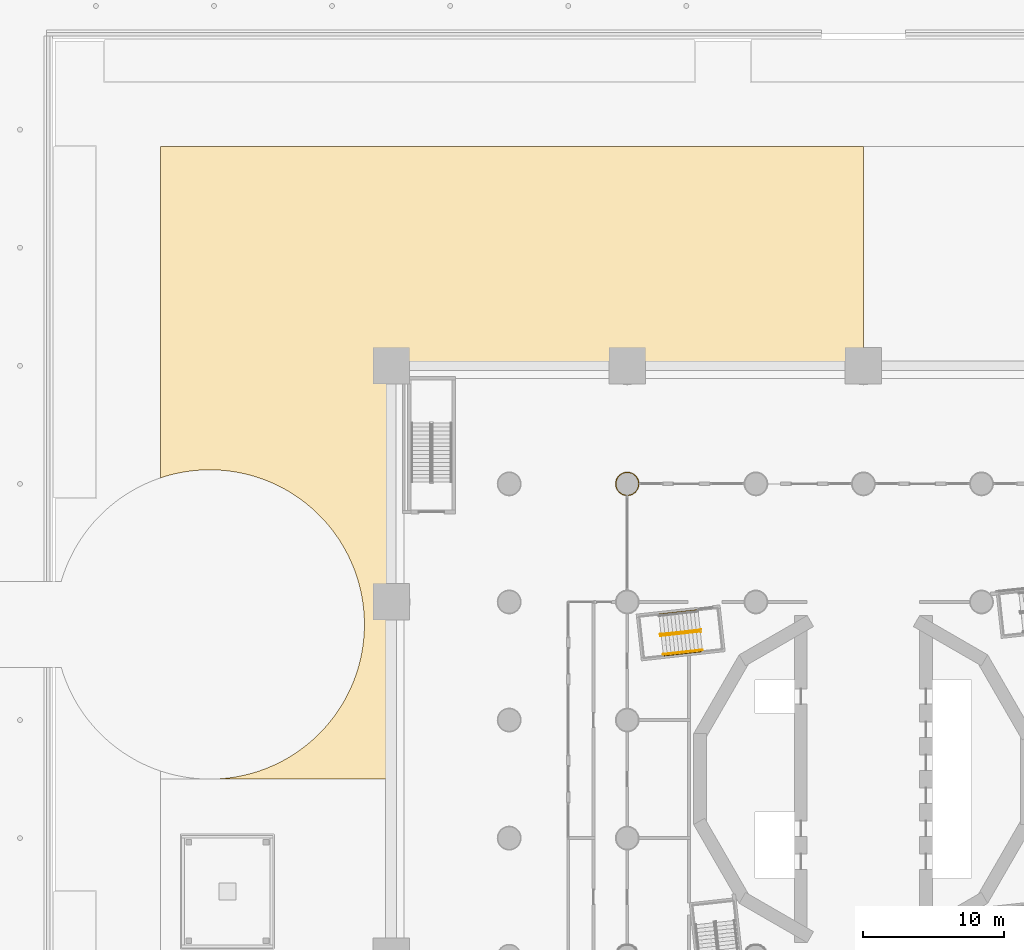
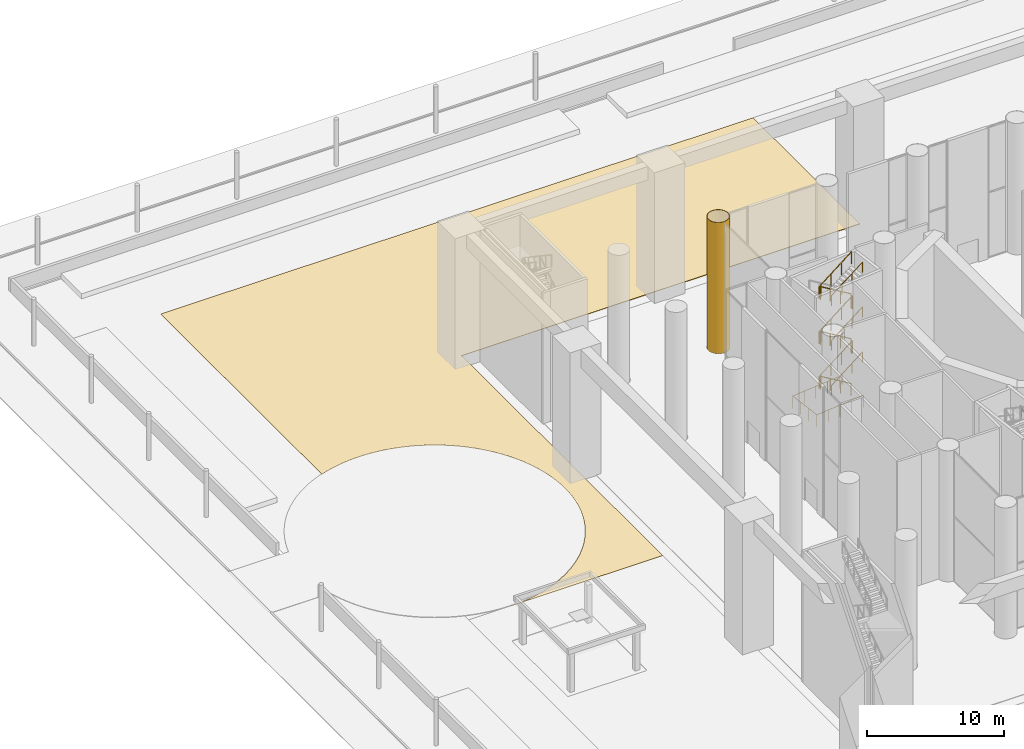
# One storey, part 41 of 52: 10 railings, 2 coverings.
"""IFC4 building model written with IfcOpenShell, lengths in metres."""

from ifc_helpers import new_model, si_unit, direction, frame, origin, origin_2d, place, context, subcontext, project, spatial, polyline, circle, outline, extrude, material, layer, layer_set, type_object, element, save


model = new_model("IFC4")

# Units and contexts
model_context = context("Model", 3, precision=1e-05, world=origin(), true_north=direction((0.0, 1.0)))
body_context = subcontext(model_context, "Body", "Model", "MODEL_VIEW")
ifc_project = project(units=[si_unit("LENGTHUNIT", "METRE"), si_unit("AREAUNIT", "SQUARE_METRE"), si_unit("VOLUMEUNIT", "CUBIC_METRE"), si_unit("PLANEANGLEUNIT", "RADIAN"), si_unit("MASSUNIT", "GRAM", prefix="KILO")], contexts=[model_context])

# Site, building, storey
site_placement = place(None, origin())
site = spatial("IfcSite", under=ifc_project, at=site_placement, CompositionType="ELEMENT")
building_placement = place(site_placement, origin())
building = spatial("IfcBuilding", under=site, at=building_placement, Name="Cantera Rosa Tower", CompositionType="ELEMENT")
storey_placement = place(building_placement, origin())
storey = spatial("IfcBuildingStorey", under=building, at=storey_placement, Name="L00", CompositionType="ELEMENT", Elevation=0.0)

# Coverings
ifc_material_1 = material(Name="Plaster")
ifc_layer_1 = layer(ifc_material_1, 0.030029296875)
ifc_layer_set_1 = layer_set([ifc_layer_1], Name="Column casing 30")
covering_type_1 = type_object("IfcCoveringType", Name="Column casing 30", PredefinedType="CLADDING", material=ifc_layer_set_1)
covering_1_placement = place(storey_placement, origin())
element("IfcCovering", 1, at=covering_1_placement, inside=storey, type_object=covering_type_1, Name="Column casing L00-006", PredefinedType="CLADDING", context=body_context, shape_type="SweptSolid", body=[
    extrude(outline(polyline([(-15.97412109375, 20.918701171875), (-15.969970703125, 21.0), (-15.97412109375, 21.081298828125), (-15.98583984375, 21.161865234375), (-16.005615234375, 21.240966796875), (-16.033203125, 21.317626953125), (-16.068115234375, 21.391357421875), (-16.10986328125, 21.461181640625), (-16.158447265625, 21.526611328125), (-16.213134765625, 21.5869140625), (-16.2734375, 21.6416015625), (-16.3388671875, 21.690185546875), (-16.40869140625, 21.73193359375), (-16.482421875, 21.766845703125), (-16.55908203125, 21.794189453125), (-16.63818359375, 21.814208984375), (-16.718505859375, 21.825927734375), (-16.800048828125, 21.830078125), (-16.88134765625, 21.825927734375), (-16.9619140625, 21.814208984375), (-17.041015625, 21.794189453125), (-17.11767578125, 21.766845703125), (-17.19140625, 21.73193359375), (-17.260986328125, 21.690185546875), (-17.326416015625, 21.6416015625), (-17.386962890625, 21.5869140625), (-17.441650390625, 21.526611328125), (-17.489990234375, 21.461181640625), (-17.531982421875, 21.391357421875), (-17.56689453125, 21.317626953125), (-17.59423828125, 21.240966796875), (-17.614013671875, 21.161865234375), (-17.6259765625, 21.081298828125), (-17.6298828125, 21.0), (-17.6259765625, 20.918701171875), (-17.614013671875, 20.838134765625), (-17.59423828125, 20.759033203125), (-17.56689453125, 20.682373046875), (-17.531982421875, 20.608642578125), (-17.489990234375, 20.538818359375), (-17.441650390625, 20.473388671875), (-17.386962890625, 20.4130859375), (-17.326416015625, 20.3583984375), (-17.260986328125, 20.309814453125), (-17.19140625, 20.26806640625), (-17.11767578125, 20.233154296875), (-17.041015625, 20.205810546875), (-16.9619140625, 20.185791015625), (-16.88134765625, 20.174072265625), (-16.800048828125, 20.169921875), (-16.718505859375, 20.174072265625), (-16.63818359375, 20.185791015625), (-16.55908203125, 20.205810546875), (-16.482421875, 20.233154296875), (-16.40869140625, 20.26806640625), (-16.3388671875, 20.309814453125), (-16.2734375, 20.3583984375), (-16.213134765625, 20.4130859375), (-16.158447265625, 20.473388671875), (-16.10986328125, 20.538818359375), (-16.068115234375, 20.608642578125), (-16.033203125, 20.682373046875), (-16.005615234375, 20.759033203125), (-15.98583984375, 20.838134765625), (-15.97412109375, 20.918701171875)]), holes=[polyline([(-16.00390625, 21.078369140625), (-16.015380859375, 21.156005859375), (-16.034423828125, 21.232177734375), (-16.060791015625, 21.30615234375), (-16.094482421875, 21.377197265625), (-16.134765625, 21.444580078125), (-16.181640625, 21.507568359375), (-16.234375, 21.565673828125), (-16.29248046875, 21.618408203125), (-16.35546875, 21.665283203125), (-16.4228515625, 21.70556640625), (-16.493896484375, 21.739013671875), (-16.56787109375, 21.765625), (-16.643798828125, 21.78466796875), (-16.7216796875, 21.796142578125), (-16.800048828125, 21.800048828125), (-16.87841796875, 21.796142578125), (-16.9560546875, 21.78466796875), (-17.0322265625, 21.765625), (-17.106201171875, 21.739013671875), (-17.177001953125, 21.70556640625), (-17.244384765625, 21.665283203125), (-17.3076171875, 21.618408203125), (-17.36572265625, 21.565673828125), (-17.41845703125, 21.507568359375), (-17.465087890625, 21.444580078125), (-17.505615234375, 21.377197265625), (-17.5390625, 21.30615234375), (-17.565673828125, 21.232177734375), (-17.584716796875, 21.156005859375), (-17.59619140625, 21.078369140625), (-17.60009765625, 21.0), (-17.59619140625, 20.921630859375), (-17.584716796875, 20.843994140625), (-17.565673828125, 20.767822265625), (-17.5390625, 20.69384765625), (-17.505615234375, 20.622802734375), (-17.465087890625, 20.555419921875), (-17.41845703125, 20.492431640625), (-17.36572265625, 20.434326171875), (-17.3076171875, 20.381591796875), (-17.244384765625, 20.334716796875), (-17.177001953125, 20.29443359375), (-17.106201171875, 20.260986328125), (-17.0322265625, 20.234375), (-16.9560546875, 20.21533203125), (-16.87841796875, 20.203857421875), (-16.800048828125, 20.199951171875), (-16.7216796875, 20.203857421875), (-16.643798828125, 20.21533203125), (-16.56787109375, 20.234375), (-16.493896484375, 20.260986328125), (-16.4228515625, 20.29443359375), (-16.35546875, 20.334716796875), (-16.29248046875, 20.381591796875), (-16.234375, 20.434326171875), (-16.181640625, 20.492431640625), (-16.134765625, 20.555419921875), (-16.094482421875, 20.622802734375), (-16.060791015625, 20.69384765625), (-16.034423828125, 20.767822265625), (-16.015380859375, 20.843994140625), (-16.00390625, 20.921630859375), (-16.0, 21.0), (-16.00390625, 21.078369140625)])]), origin(), (0.0, 0.0, 1.0), 11.699951171875),
])
ifc_material_2 = material(Name="Stone paving", Category="masonry")
ifc_layer_2 = layer(ifc_material_2, 0.0400390625)
ifc_layer_set_2 = layer_set([ifc_layer_2], Name="Plaza paving 40")
covering_type_2 = type_object("IfcCoveringType", Name="Plaza paving 40", PredefinedType="USERDEFINED", material=ifc_layer_set_2)
covering_2_placement = place(storey_placement, origin())
element("IfcCovering", 2, at=covering_2_placement, inside=storey, type_object=covering_type_2, Name="Plaza paving NW", ObjectType="PAVING", PredefinedType="USERDEFINED", context=body_context, shape_type="SweptSolid", body=[
    extrude(outline(polyline([(-46.14013671875, 0.005859375), (-46.5, 0.0), (-33.60009765625, 0.0), (-33.60009765625, 29.39990234375), (0.0, 29.39990234375), (0.0, 45.0), (-50.0, 45.0), (-50.0, 21.427734375), (-49.693115234375, 21.5263671875), (-49.346923828125, 21.625244140625), (-48.997802734375, 21.712646484375), (-48.64599609375, 21.78857421875), (-48.2919921875, 21.85302734375), (-47.935791015625, 21.906005859375), (-47.578125, 21.947021484375), (-47.219482421875, 21.976318359375), (-46.85986328125, 21.994140625), (-46.5, 22.0), (-46.14013671875, 21.994140625), (-45.780517578125, 21.976318359375), (-45.421875, 21.947021484375), (-45.064208984375, 21.906005859375), (-44.7080078125, 21.85302734375), (-44.35400390625, 21.78857421875), (-44.002197265625, 21.712646484375), (-43.653076171875, 21.625244140625), (-43.306884765625, 21.5263671875), (-42.964111328125, 21.416259765625), (-42.625244140625, 21.294921875), (-42.29052734375, 21.16259765625), (-41.960205078125, 21.01953125), (-41.634765625, 20.865478515625), (-41.314697265625, 20.701171875), (-41.0, 20.5263671875), (-40.69140625, 20.34130859375), (-40.388671875, 20.146240234375), (-40.0927734375, 19.94140625), (-39.8037109375, 19.726806640625), (-39.521728515625, 19.503173828125), (-39.247314453125, 19.270263671875), (-38.98046875, 19.028564453125), (-38.7216796875, 18.7783203125), (-38.471435546875, 18.51953125), (-38.229736328125, 18.252685546875), (-37.996826171875, 17.978271484375), (-37.773193359375, 17.6962890625), (-37.55859375, 17.4072265625), (-37.353759765625, 17.111328125), (-37.15869140625, 16.80859375), (-36.9736328125, 16.5), (-36.798828125, 16.185302734375), (-36.634521484375, 15.865234375), (-36.48046875, 15.539794921875), (-36.33740234375, 15.20947265625), (-36.205078125, 14.874755859375), (-36.083740234375, 14.535888671875), (-35.9736328125, 14.193115234375), (-35.874755859375, 13.846923828125), (-35.787353515625, 13.497802734375), (-35.71142578125, 13.14599609375), (-35.64697265625, 12.7919921875), (-35.593994140625, 12.435791015625), (-35.552978515625, 12.078125), (-35.523681640625, 11.719482421875), (-35.505859375, 11.35986328125), (-35.5, 11.0), (-35.505859375, 10.64013671875), (-35.523681640625, 10.280517578125), (-35.552978515625, 9.921875), (-35.593994140625, 9.564208984375), (-35.64697265625, 9.2080078125), (-35.71142578125, 8.85400390625), (-35.787353515625, 8.502197265625), (-35.874755859375, 8.153076171875), (-35.9736328125, 7.806884765625), (-36.083740234375, 7.464111328125), (-36.205078125, 7.125244140625), (-36.33740234375, 6.79052734375), (-36.48046875, 6.460205078125), (-36.634521484375, 6.134765625), (-36.798828125, 5.814697265625), (-36.9736328125, 5.5), (-37.15869140625, 5.19140625), (-37.353759765625, 4.888671875), (-37.55859375, 4.5927734375), (-37.773193359375, 4.3037109375), (-37.996826171875, 4.021728515625), (-38.229736328125, 3.747314453125), (-38.471435546875, 3.48046875), (-38.7216796875, 3.2216796875), (-38.98046875, 2.971435546875), (-39.247314453125, 2.729736328125), (-39.521728515625, 2.496826171875), (-39.8037109375, 2.273193359375), (-40.0927734375, 2.05859375), (-40.388671875, 1.853759765625), (-40.69140625, 1.65869140625), (-41.0, 1.4736328125), (-41.314697265625, 1.298828125), (-41.634765625, 1.134521484375), (-41.960205078125, 0.98046875), (-42.29052734375, 0.83740234375), (-42.625244140625, 0.705078125), (-42.964111328125, 0.583740234375), (-43.306884765625, 0.4736328125), (-43.653076171875, 0.374755859375), (-44.002197265625, 0.287353515625), (-44.35400390625, 0.21142578125), (-44.7080078125, 0.14697265625), (-45.064208984375, 0.093994140625), (-45.421875, 0.052978515625), (-45.780517578125, 0.023681640625), (-46.14013671875, 0.005859375)])), origin(), (0.0, 0.0, 1.0), 0.0400390625),
])

# Railings
ifc_material_3 = material(Name="Steel S355J2 (EN 10025-2)", Category="steel")
railing_type_1 = type_object("IfcRailingType", Name="STAIR GUARD 1100", PredefinedType="GUARDRAIL", material=ifc_material_3)
railing_1_placement = place(storey_placement, frame((-11.614013671875, 10.60302734375, 0.181884765625)))
element("IfcRailing", 3, at=railing_1_placement, inside=storey, type_object=railing_type_1, Name="L00 ST-12 stair guard 1", PredefinedType="GUARDRAIL", context=body_context, shape_type="SweptSolid", body=[
    extrude(circle(Radius=0.02392578125, at=origin_2d()), frame((0.0, 0.0, 1.076171875), z_axis=(-0.833588056777, -0.09250714026, 0.544585512661), x_axis=(0.110297547524, -0.993898612038, 0.0)), (0.0, 0.0, 1.0), 3.338623046875),
    extrude(circle(Radius=0.02392578125, at=origin_2d()), frame((-2.782958984375, -0.308837890625, 2.89404296875), z_axis=(-0.931434406233, 0.363909256389, 0.0), x_axis=(-0.363909256389, -0.931434406233, 0.0)), (0.0, 0.0, 1.0), 0.056396484375),
    extrude(circle(Radius=0.02392578125, at=origin_2d()), frame((-2.83544921875, -0.288330078125, 2.89404296875), z_axis=(0.110610055588, -0.993863881828, 0.0), x_axis=(0.993863881828, 0.110610055588, 0.0)), (0.0, 0.0, 1.0), 0.150146484375),
    extrude(circle(Radius=0.02099609375, at=origin_2d()), origin(), (0.0, 0.0, 1.0), 1.052001953125),
    extrude(circle(Radius=0.02099609375, at=origin_2d()), frame((-0.927734375, -0.10302734375, 0.60595703125)), (0.0, 0.0, 1.0), 1.052001953125),
    extrude(circle(Radius=0.02099609375, at=origin_2d()), frame((-1.855224609375, -0.205810546875, 1.212158203125)), (0.0, 0.0, 1.0), 1.052001953125),
    extrude(circle(Radius=0.02099609375, at=origin_2d()), frame((-2.782958984375, -0.308837890625, 1.818115234375)), (0.0, 0.0, 1.0), 1.052001953125),
    extrude(circle(Radius=0.02099609375, at=origin_2d()), frame((-2.83544921875, -0.288330078125, 1.818115234375)), (0.0, 0.0, 1.0), 1.052001953125),
    extrude(circle(Radius=0.02099609375, at=origin_2d()), frame((-2.81884765625, -0.4375, 1.818115234375)), (0.0, 0.0, 1.0), 1.052001953125),
])
railing_2_placement = place(storey_placement, frame((-14.385986328125, 10.19677734375, 2.181884765625)))
element("IfcRailing", 4, at=railing_2_placement, inside=storey, type_object=railing_type_1, Name="L00 ST-12 stair guard 2", PredefinedType="GUARDRAIL", context=body_context, shape_type="SweptSolid", body=[
    extrude(circle(Radius=0.02392578125, at=origin_2d()), frame((0.0, 0.0, 1.076171875), z_axis=(0.833588056777, 0.09250714026, 0.544585512661), x_axis=(-0.110297547524, 0.993898612038, 0.0)), (0.0, 0.0, 1.0), 3.338623046875),
    extrude(circle(Radius=0.02392578125, at=origin_2d()), frame((2.782958984375, 0.308837890625, 2.89404296875), z_axis=(0.932897555956, -0.360141847183, 0.0), x_axis=(0.360141847183, 0.932897555956, 0.0)), (0.0, 0.0, 1.0), 0.05615234375),
    extrude(circle(Radius=0.02392578125, at=origin_2d()), frame((2.83544921875, 0.28857421875, 2.89404296875), z_axis=(-0.110610055588, 0.993863881828, 0.0), x_axis=(-0.993863881828, -0.110610055588, 0.0)), (0.0, 0.0, 1.0), 0.150146484375),
    extrude(circle(Radius=0.02099609375, at=origin_2d()), origin(), (0.0, 0.0, 1.0), 1.052001953125),
    extrude(circle(Radius=0.02099609375, at=origin_2d()), frame((0.927734375, 0.10302734375, 0.60595703125)), (0.0, 0.0, 1.0), 1.052001953125),
    extrude(circle(Radius=0.02099609375, at=origin_2d()), frame((1.855224609375, 0.205810546875, 1.212158203125)), (0.0, 0.0, 1.0), 1.052001953125),
    extrude(circle(Radius=0.02099609375, at=origin_2d()), frame((2.782958984375, 0.308837890625, 1.818115234375)), (0.0, 0.0, 1.0), 1.052001953125),
    extrude(circle(Radius=0.02099609375, at=origin_2d()), frame((2.83544921875, 0.28857421875, 1.818115234375)), (0.0, 0.0, 1.0), 1.052001953125),
    extrude(circle(Radius=0.02099609375, at=origin_2d()), frame((2.81884765625, 0.437744140625, 1.818115234375)), (0.0, 0.0, 1.0), 1.052001953125),
])
railing_3_placement = place(storey_placement, frame((-11.614013671875, 10.60302734375, 4.181884765625)))
element("IfcRailing", 5, at=railing_3_placement, inside=storey, type_object=railing_type_1, Name="L00 ST-12 stair guard 3", PredefinedType="GUARDRAIL", context=body_context, shape_type="SweptSolid", body=[
    extrude(circle(Radius=0.02392578125, at=origin_2d()), frame((0.0, 0.0, 1.076171875), z_axis=(-0.833588056777, -0.09250714026, 0.544585512661), x_axis=(0.110297547524, -0.993898612038, 0.0)), (0.0, 0.0, 1.0), 3.338623046875),
    extrude(circle(Radius=0.02392578125, at=origin_2d()), frame((-2.782958984375, -0.308837890625, 2.89404296875), z_axis=(-0.931434406233, 0.363909256389, 0.0), x_axis=(-0.363909256389, -0.931434406233, 0.0)), (0.0, 0.0, 1.0), 0.056396484375),
    extrude(circle(Radius=0.02392578125, at=origin_2d()), frame((-2.83544921875, -0.288330078125, 2.89404296875), z_axis=(0.110610055588, -0.993863881828, 0.0), x_axis=(0.993863881828, 0.110610055588, 0.0)), (0.0, 0.0, 1.0), 0.150146484375),
    extrude(circle(Radius=0.02099609375, at=origin_2d()), origin(), (0.0, 0.0, 1.0), 1.052001953125),
    extrude(circle(Radius=0.02099609375, at=origin_2d()), frame((-0.927734375, -0.10302734375, 0.60595703125)), (0.0, 0.0, 1.0), 1.052001953125),
    extrude(circle(Radius=0.02099609375, at=origin_2d()), frame((-1.855224609375, -0.205810546875, 1.212158203125)), (0.0, 0.0, 1.0), 1.052001953125),
    extrude(circle(Radius=0.02099609375, at=origin_2d()), frame((-2.782958984375, -0.308837890625, 1.818115234375)), (0.0, 0.0, 1.0), 1.052001953125),
    extrude(circle(Radius=0.02099609375, at=origin_2d()), frame((-2.83544921875, -0.288330078125, 1.818115234375)), (0.0, 0.0, 1.0), 1.052001953125),
    extrude(circle(Radius=0.02099609375, at=origin_2d()), frame((-2.81884765625, -0.4375, 1.818115234375)), (0.0, 0.0, 1.0), 1.052001953125),
])
railing_4_placement = place(storey_placement, frame((-14.385986328125, 10.19677734375, 6.181884765625)))
element("IfcRailing", 6, at=railing_4_placement, inside=storey, type_object=railing_type_1, Name="L00 ST-12 stair guard 4", PredefinedType="GUARDRAIL", context=body_context, shape_type="SweptSolid", body=[
    extrude(circle(Radius=0.02392578125, at=origin_2d()), frame((0.0, 0.0, 1.076171875), z_axis=(0.833588056777, 0.09250714026, 0.544585512661), x_axis=(-0.110297547524, 0.993898612038, 0.0)), (0.0, 0.0, 1.0), 3.338623046875),
    extrude(circle(Radius=0.02392578125, at=origin_2d()), frame((2.782958984375, 0.308837890625, 2.89404296875), z_axis=(0.932897555956, -0.360141847183, 0.0), x_axis=(0.360141847183, 0.932897555956, 0.0)), (0.0, 0.0, 1.0), 0.05615234375),
    extrude(circle(Radius=0.02392578125, at=origin_2d()), frame((2.83544921875, 0.28857421875, 2.89404296875), z_axis=(-0.110610055588, 0.993863881828, 0.0), x_axis=(-0.993863881828, -0.110610055588, 0.0)), (0.0, 0.0, 1.0), 0.150146484375),
    extrude(circle(Radius=0.02099609375, at=origin_2d()), origin(), (0.0, 0.0, 1.0), 1.052001953125),
    extrude(circle(Radius=0.02099609375, at=origin_2d()), frame((0.927734375, 0.10302734375, 0.60595703125)), (0.0, 0.0, 1.0), 1.052001953125),
    extrude(circle(Radius=0.02099609375, at=origin_2d()), frame((1.855224609375, 0.205810546875, 1.212158203125)), (0.0, 0.0, 1.0), 1.052001953125),
    extrude(circle(Radius=0.02099609375, at=origin_2d()), frame((2.782958984375, 0.308837890625, 1.818115234375)), (0.0, 0.0, 1.0), 1.052001953125),
    extrude(circle(Radius=0.02099609375, at=origin_2d()), frame((2.83544921875, 0.28857421875, 1.818115234375)), (0.0, 0.0, 1.0), 1.052001953125),
    extrude(circle(Radius=0.02099609375, at=origin_2d()), frame((2.81884765625, 0.437744140625, 1.818115234375)), (0.0, 0.0, 1.0), 1.052001953125),
])
railing_5_placement = place(storey_placement, frame((-11.614013671875, 10.60302734375, 8.181884765625)))
element("IfcRailing", 7, at=railing_5_placement, inside=storey, type_object=railing_type_1, Name="L00 ST-12 stair guard 5", PredefinedType="GUARDRAIL", context=body_context, shape_type="SweptSolid", body=[
    extrude(circle(Radius=0.02392578125, at=origin_2d()), frame((0.0, 0.0, 1.076171875), z_axis=(-0.833588056777, -0.09250714026, 0.544585512661), x_axis=(0.110297547524, -0.993898612038, 0.0)), (0.0, 0.0, 1.0), 3.338623046875),
    extrude(circle(Radius=0.02392578125, at=origin_2d()), frame((-2.782958984375, -0.308837890625, 2.89404296875), z_axis=(-0.931434406233, 0.363909256389, 0.0), x_axis=(-0.363909256389, -0.931434406233, 0.0)), (0.0, 0.0, 1.0), 0.056396484375),
    extrude(circle(Radius=0.02392578125, at=origin_2d()), frame((-2.83544921875, -0.288330078125, 2.89404296875), z_axis=(0.110610055588, -0.993863881828, 0.0), x_axis=(0.993863881828, 0.110610055588, 0.0)), (0.0, 0.0, 1.0), 0.150146484375),
    extrude(circle(Radius=0.02099609375, at=origin_2d()), origin(), (0.0, 0.0, 1.0), 1.052001953125),
    extrude(circle(Radius=0.02099609375, at=origin_2d()), frame((-0.927734375, -0.10302734375, 0.60595703125)), (0.0, 0.0, 1.0), 1.052001953125),
    extrude(circle(Radius=0.02099609375, at=origin_2d()), frame((-1.855224609375, -0.205810546875, 1.212158203125)), (0.0, 0.0, 1.0), 1.052001953125),
    extrude(circle(Radius=0.02099609375, at=origin_2d()), frame((-2.782958984375, -0.308837890625, 1.818115234375)), (0.0, 0.0, 1.0), 1.052001953125),
    extrude(circle(Radius=0.02099609375, at=origin_2d()), frame((-2.83544921875, -0.288330078125, 1.818115234375)), (0.0, 0.0, 1.0), 1.052001953125),
    extrude(circle(Radius=0.02099609375, at=origin_2d()), frame((-2.81884765625, -0.4375, 1.818115234375)), (0.0, 0.0, 1.0), 1.052001953125),
])
railing_6_placement = place(storey_placement, frame((-14.385986328125, 10.19677734375, 10.181884765625)))
element("IfcRailing", 8, at=railing_6_placement, inside=storey, type_object=railing_type_1, Name="L00 ST-12 stair guard 6", PredefinedType="GUARDRAIL", context=body_context, shape_type="SweptSolid", body=[
    extrude(circle(Radius=0.02392578125, at=origin_2d()), frame((0.0, 0.0, 1.076171875), z_axis=(0.833588056777, 0.09250714026, 0.544585512661), x_axis=(-0.110297547524, 0.993898612038, 0.0)), (0.0, 0.0, 1.0), 3.338623046875),
    extrude(circle(Radius=0.02099609375, at=origin_2d()), origin(), (0.0, 0.0, 1.0), 1.052001953125),
    extrude(circle(Radius=0.02099609375, at=origin_2d()), frame((0.927734375, 0.10302734375, 0.60595703125)), (0.0, 0.0, 1.0), 1.052001953125),
    extrude(circle(Radius=0.02099609375, at=origin_2d()), frame((1.855224609375, 0.205810546875, 1.212158203125)), (0.0, 0.0, 1.0), 1.052001953125),
    extrude(circle(Radius=0.02099609375, at=origin_2d()), frame((2.782958984375, 0.308837890625, 1.818115234375)), (0.0, 0.0, 1.0), 1.052001953125),
])
railing_7_placement = place(storey_placement, frame((-11.7841796875, 12.029052734375, 0.0)))
element("IfcRailing", 9, at=railing_7_placement, inside=storey, type_object=railing_type_1, Name="L00 ST-12 stair guard 8", PredefinedType="GUARDRAIL", context=body_context, shape_type="SweptSolid", body=[
    extrude(circle(Radius=0.02392578125, at=origin_2d()), frame((0.0, 0.0, 1.076171875), z_axis=(-0.9938957856, -0.110323013767, 0.0), x_axis=(0.110323013767, -0.9938957856, 0.0)), (0.0, 0.0, 1.0), 4.197998046875),
    extrude(circle(Radius=0.02392578125, at=origin_2d()), frame((-4.17236328125, -0.463134765625, 1.076171875), z_axis=(0.11023303584, -0.99390576908, 0.0), x_axis=(0.99390576908, 0.11023303584, 0.0)), (0.0, 0.0, 1.0), 2.969970703125),
    extrude(circle(Radius=0.02392578125, at=origin_2d()), frame((-3.844970703125, -3.4150390625, 1.076171875), z_axis=(0.993896493372, 0.11031663729, 0.0), x_axis=(-0.11031663729, 0.993896493372, 0.0)), (0.0, 0.0, 1.0), 4.1982421875),
    extrude(circle(Radius=0.02099609375, at=origin_2d()), origin(), (0.0, 0.0, 1.0), 1.052001953125),
    extrude(circle(Radius=0.02099609375, at=origin_2d()), frame((-1.04296875, -0.11572265625, 0.0)), (0.0, 0.0, 1.0), 1.052001953125),
    extrude(circle(Radius=0.02099609375, at=origin_2d()), frame((-2.086181640625, -0.2314453125, 0.0)), (0.0, 0.0, 1.0), 1.052001953125),
    extrude(circle(Radius=0.02099609375, at=origin_2d()), frame((-3.12939453125, -0.347412109375, 0.0)), (0.0, 0.0, 1.0), 1.052001953125),
    extrude(circle(Radius=0.02099609375, at=origin_2d()), frame((-4.17236328125, -0.463134765625, 0.0)), (0.0, 0.0, 1.0), 1.052001953125),
    extrude(circle(Radius=0.02099609375, at=origin_2d()), frame((-4.063232421875, -1.447021484375, 0.0)), (0.0, 0.0, 1.0), 1.052001953125),
    extrude(circle(Radius=0.02099609375, at=origin_2d()), frame((-3.9541015625, -2.43115234375, 0.0)), (0.0, 0.0, 1.0), 1.052001953125),
    extrude(circle(Radius=0.02099609375, at=origin_2d()), frame((-3.844970703125, -3.4150390625, 0.0)), (0.0, 0.0, 1.0), 1.052001953125),
    extrude(circle(Radius=0.02099609375, at=origin_2d()), frame((-2.8017578125, -3.29931640625, 0.0)), (0.0, 0.0, 1.0), 1.052001953125),
    extrude(circle(Radius=0.02099609375, at=origin_2d()), frame((-1.7587890625, -3.18359375, 0.0)), (0.0, 0.0, 1.0), 1.052001953125),
    extrude(circle(Radius=0.02099609375, at=origin_2d()), frame((-0.715576171875, -3.067626953125, 0.0)), (0.0, 0.0, 1.0), 1.052001953125),
    extrude(circle(Radius=0.02099609375, at=origin_2d()), frame((0.32763671875, -2.951904296875, 0.0)), (0.0, 0.0, 1.0), 1.052001953125),
])
ifc_material_4 = material(Name="Steel S355J2 (EN 10025-2)", Category="steel")
railing_type_2 = type_object("IfcRailingType", Name="STAIR HANDRAIL 900", PredefinedType="HANDRAIL", material=ifc_material_4)
for number, where, name in (
    (10, (-14.23974609375, 8.87890625, 2.181884765625), "L00 ST-12 stair handrail 2"),
    (11, (-14.23974609375, 8.87890625, 6.181884765625), "L00 ST-12 stair handrail 4"),
    (12, (-14.23974609375, 8.87890625, 10.181884765625), "L00 ST-12 stair handrail 6"),
):
    element("IfcRailing", number, at=place(storey_placement, frame(where)), inside=storey, type_object=railing_type_2, Name=name, PredefinedType="HANDRAIL", context=body_context, shape_type="SweptSolid", body=[
        extrude(circle(Radius=0.02392578125, at=origin_2d()), frame((0.0, 0.0, 0.8759765625), z_axis=(0.833588056777, 0.09250714026, 0.544585512661), x_axis=(-0.110297547524, 0.993898612038, 0.0)), (0.0, 0.0, 1.0), 3.338623046875),
        extrude(circle(Radius=0.02099609375, at=origin_2d()), origin(), (0.0, 0.0, 1.0), 0.851806640625),
        extrude(circle(Radius=0.02099609375, at=origin_2d()), frame((0.927734375, 0.10302734375, 0.60595703125)), (0.0, 0.0, 1.0), 0.851806640625),
        extrude(circle(Radius=0.02099609375, at=origin_2d()), frame((1.855224609375, 0.205810546875, 1.212158203125)), (0.0, 0.0, 1.0), 0.851806640625),
        extrude(circle(Radius=0.02099609375, at=origin_2d()), frame((2.782958984375, 0.308837890625, 1.818115234375)), (0.0, 0.0, 1.0), 0.851806640625),
    ])

save(model, "model.ifc")
